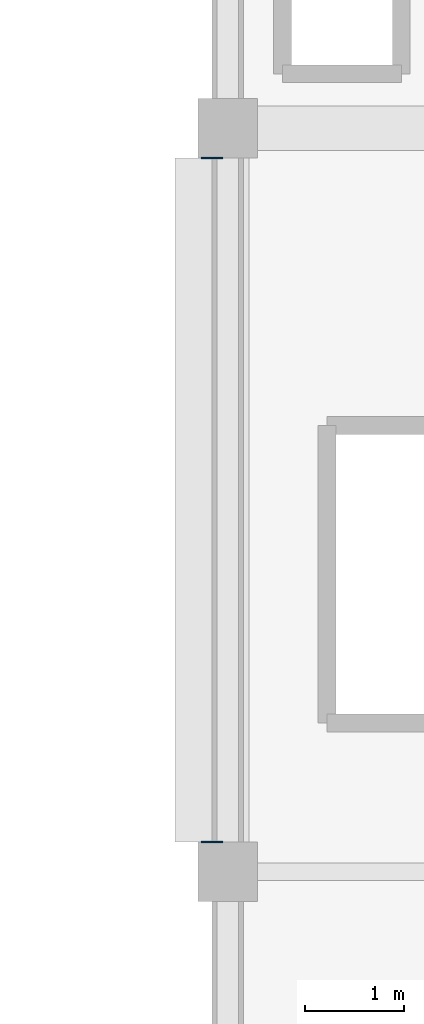
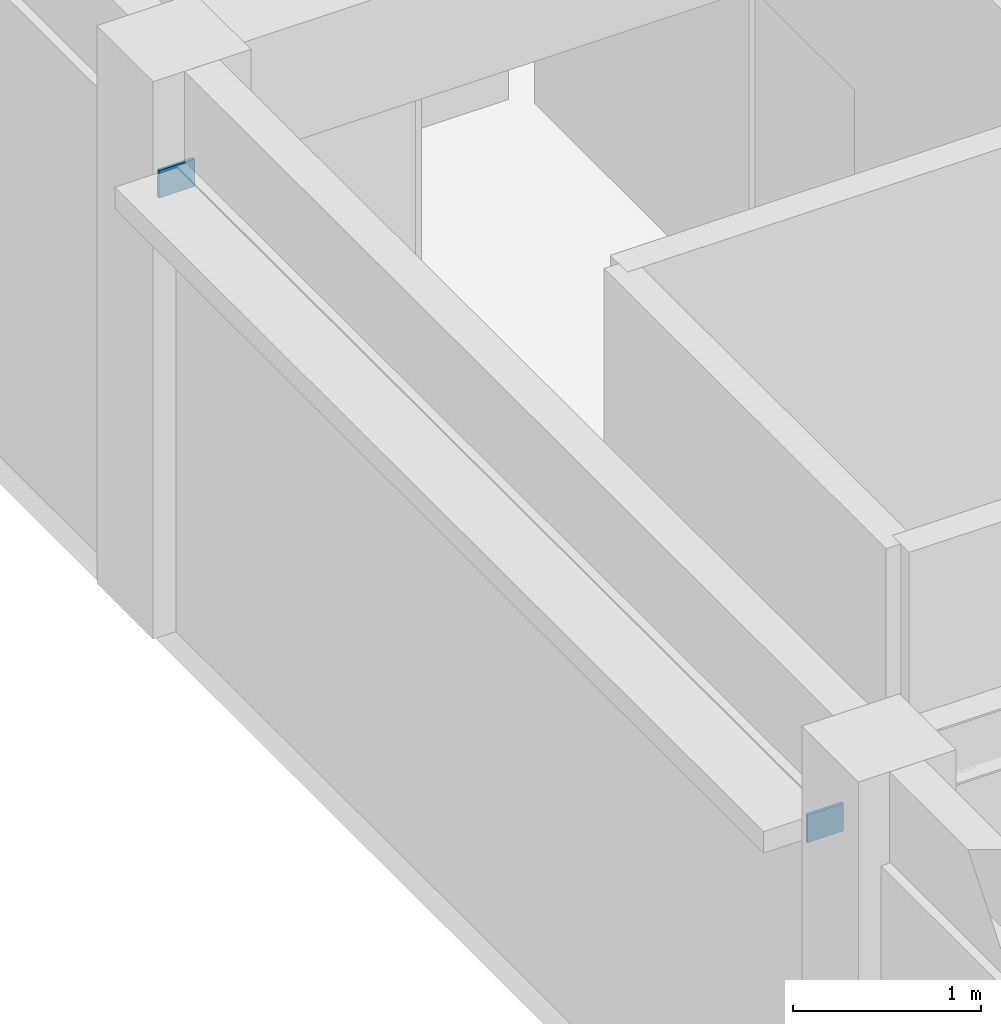
# One storey, part 64 of 76: 2 plates.
"""IFC4 building model written with IfcOpenShell, lengths in metres."""

from ifc_helpers import new_model, si_unit, direction, frame, origin, origin_2d, place, context, subcontext, project, spatial, rectangle, extrude, material, layer, layer_set, type_object, element, save


model = new_model("IFC4")

# Units and contexts
model_context = context("Model", 3, precision=1e-05, world=origin(), true_north=direction((0.0, 1.0)))
body_context = subcontext(model_context, "Body", "Model", "MODEL_VIEW")
ifc_project = project(units=[si_unit("LENGTHUNIT", "METRE"), si_unit("AREAUNIT", "SQUARE_METRE"), si_unit("VOLUMEUNIT", "CUBIC_METRE"), si_unit("PLANEANGLEUNIT", "RADIAN"), si_unit("MASSUNIT", "GRAM", prefix="KILO")], contexts=[model_context])

# Site, building, storey
site_placement = place(None, origin())
site = spatial("IfcSite", under=ifc_project, at=site_placement, CompositionType="ELEMENT")
building_placement = place(site_placement, origin())
building = spatial("IfcBuilding", under=site, at=building_placement, Name="Marnridge Secondary College", CompositionType="ELEMENT")
storey_placement = place(building_placement, frame((0.0, 0.0, 4.5)))
storey = spatial("IfcBuildingStorey", under=building, at=storey_placement, Name="L01", CompositionType="ELEMENT", Elevation=4.5)

# Plates
ifc_material = material(Name="Structural steel plate Grade 350 (AS/NZS 3678, fy = 350 MPa <=12mm, 340 MPa 12-20mm, 330 MPa 20-50mm)", Category="steel")
ifc_layer = layer(ifc_material, 0.02392578125)
ifc_layer_set = layer_set([ifc_layer], Name="PT-GUS-GSN2")
plate_type = type_object("IfcPlateType", Name="PT-GUS-GSN2", PredefinedType="USERDEFINED", material=ifc_layer_set)
for number, where, z_axis, x_axis, name in (
    (1, (125.840087890625, 97.800048828125, 2.85693359375), (0.0, 0.0, 1.0), (1.0, 0.0, 0.0), "Solar fin end bracket plate SFN-0024-BP1"),
    (2, (125.840087890625, 104.699951171875, 2.85693359375), (0.0, 0.0, 1.0), (1.0, 0.0, 0.0), "Solar fin end bracket plate SFN-0024-BP2"),
):
    element("IfcPlate", number, at=place(storey_placement, frame(where, z_axis=z_axis, x_axis=x_axis)), inside=storey, type_object=plate_type, Name=name, ObjectType="GUSSET PLATE", PredefinedType="USERDEFINED", context=body_context, shape_type="SweptSolid", body=[
        extrude(rectangle(XDim=0.219970703125, YDim=0.01806640625, at=origin_2d()), origin(), (0.0, 0.0, 1.0), 0.179931640625),
    ])

save(model, "model.ifc")
